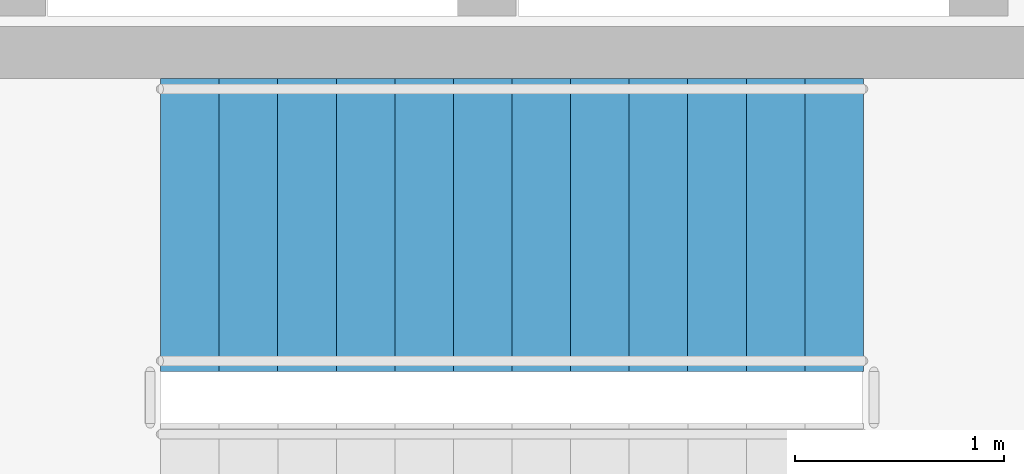
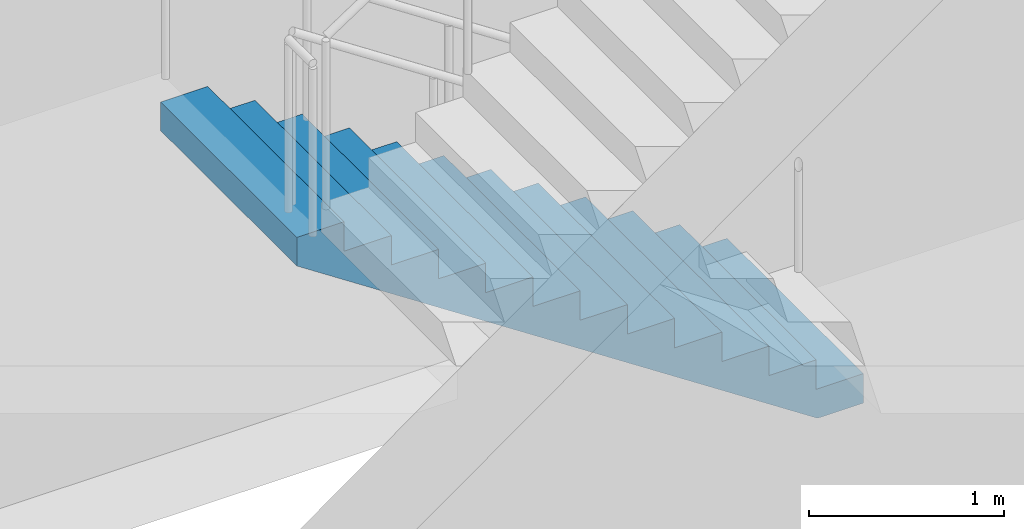
# One storey, part 5 of 7: 1 stair flight, 1 element without a shape of its own.
"""IFC4 building model written with IfcOpenShell, lengths in metres."""

from ifc_helpers import new_model, si_unit, direction, frame, origin, place, context, subcontext, project, spatial, polyline, outline, extrude, material, type_object, element, aggregate, save


model = new_model("IFC4")

# Units and contexts
model_context = context("Model", 3, precision=1e-05, world=origin(), true_north=direction((0.0, 1.0)))
body_context = subcontext(model_context, "Body", "Model", "MODEL_VIEW")
ifc_project = project(units=[si_unit("LENGTHUNIT", "METRE"), si_unit("AREAUNIT", "SQUARE_METRE"), si_unit("VOLUMEUNIT", "CUBIC_METRE"), si_unit("PLANEANGLEUNIT", "RADIAN"), si_unit("MASSUNIT", "GRAM", prefix="KILO")], contexts=[model_context])

# Site, building, storey
site_placement = place(None, origin())
site = spatial("IfcSite", under=ifc_project, at=site_placement, CompositionType="ELEMENT")
building_placement = place(site_placement, origin())
building = spatial("IfcBuilding", under=site, at=building_placement, Name="Solvirekh Grand Hotel", CompositionType="ELEMENT")
storey_placement = place(building_placement, frame((0.0, 0.0, 234.39990234375)))
storey = spatial("IfcBuildingStorey", under=building, at=storey_placement, Name="L61", CompositionType="ELEMENT", Elevation=234.39990234375)

# Stair, stair flight
ifc_material = material(Name="Concrete C40/50", Category="concrete")
stair_type = type_object("IfcStairType", Name="Stair_Core_1450", PredefinedType="HALF_TURN_STAIR", material=ifc_material)
stair_placement = place(storey_placement, origin())
stair = element("IfcStair", 1, at=stair_placement, inside=storey, type_object=stair_type, Name="L61 Enclosed exit stair ST-2", PredefinedType="HALF_TURN_STAIR")
stair_flight_type = type_object("IfcStairFlightType", Name="Flight_Core_1450", PredefinedType="STRAIGHT", material=ifc_material)
stair_flight_placement = place(storey_placement, frame((2.449951171875, 2.5, 0.0), z_axis=(0.0, 0.0, 1.0), x_axis=(-1.0, 0.0, 0.0)))
stair_flight = element("IfcStairFlight", 2, at=stair_flight_placement, type_object=stair_flight_type, Name="ST-2 flight 1", NumberOfRisers=13, NumberOfTreads=12, PredefinedType="STRAIGHT", RiserHeight=0.184615385, TreadLength=0.28, context=body_context, shape_type="SweptSolid", body=[
    extrude(outline(polyline([(0.0, 0.0), (0.0, 0.1845703125), (0.280029296875, 0.1845703125), (0.280029296875, 0.369140625), (0.56005859375, 0.369140625), (0.56005859375, 0.553955078125), (0.840087890625, 0.553955078125), (0.840087890625, 0.738525390625), (1.1201171875, 0.738525390625), (1.1201171875, 0.923095703125), (1.39990234375, 0.923095703125), (1.39990234375, 1.107666015625), (1.679931640625, 1.107666015625), (1.679931640625, 1.292236328125), (1.9599609375, 1.292236328125), (1.9599609375, 1.476806640625), (2.239990234375, 1.476806640625), (2.239990234375, 1.66162109375), (2.52001953125, 1.66162109375), (2.52001953125, 1.84619140625), (2.800048828125, 1.84619140625), (2.800048828125, 2.03076171875), (3.080078125, 2.03076171875), (3.080078125, 2.21533203125), (3.360107421875, 2.21533203125), (3.360107421875, 2.39990234375), (3.360107421875, 2.035888671875), (0.272216796875, 0.0), (0.0, 0.0)])), frame((0.0, 0.699951171875, 0.0), z_axis=(0.0, -1.0, 0.0), x_axis=(1.0, 0.0, 0.0)), (0.0, 0.0, 1.0), 1.39990234375),
])
aggregate(stair, [stair_flight])

save(model, "model.ifc")
